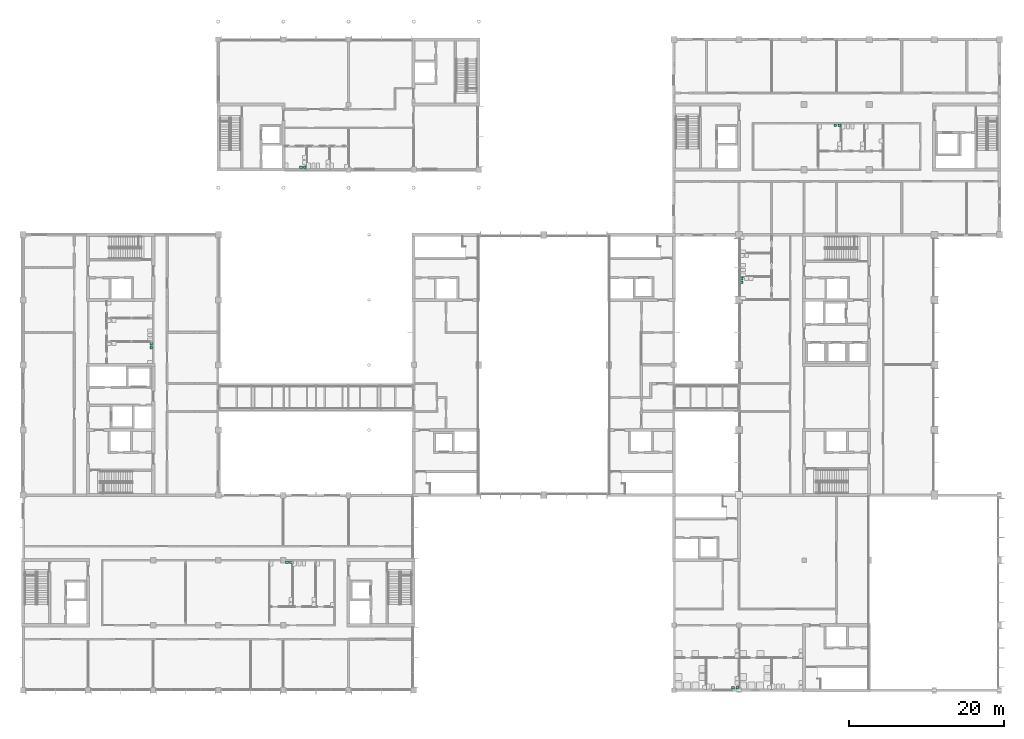
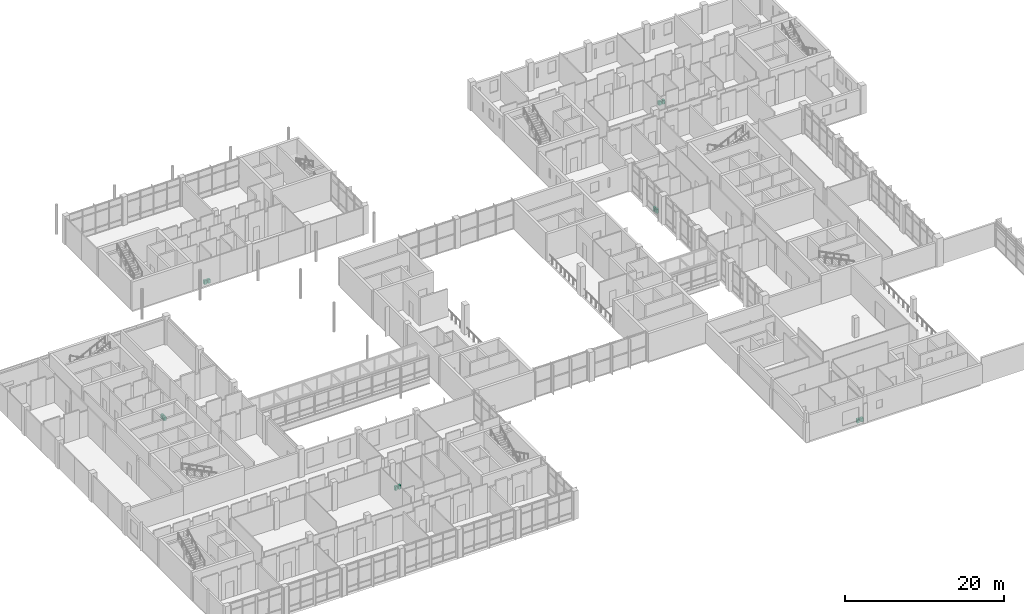
# One storey, part 70 of 70: 12 sanitary terminals.
"""IFC4 building model written with IfcOpenShell, lengths in metres."""

from ifc_helpers import new_model, si_unit, direction, frame, origin, origin_2d, place, context, subcontext, project, spatial, rectangle, extrude, element, save


model = new_model("IFC4")

# Units and contexts
model_context = context("Model", 3, precision=1e-05, world=origin(), true_north=direction((0.0, 1.0)))
body_context = subcontext(model_context, "Body", "Model", "MODEL_VIEW")
ifc_project = project(units=[si_unit("LENGTHUNIT", "METRE"), si_unit("AREAUNIT", "SQUARE_METRE"), si_unit("VOLUMEUNIT", "CUBIC_METRE"), si_unit("PLANEANGLEUNIT", "RADIAN"), si_unit("MASSUNIT", "GRAM", prefix="KILO")], contexts=[model_context])

# Site, building, storey
site_placement = place(None, origin())
site = spatial("IfcSite", under=ifc_project, at=site_placement, CompositionType="ELEMENT")
building_placement = place(site_placement, origin())
building = spatial("IfcBuilding", under=site, at=building_placement, Name="Hlaing Beacon Police Headquarters", CompositionType="ELEMENT")
storey_placement = place(building_placement, frame((0.0, 0.0, 5.39990234375)))
storey = spatial("IfcBuildingStorey", under=building, at=storey_placement, Name="L01", CompositionType="ELEMENT", Elevation=5.39990234375)

# Sanitary terminals
for number, where, z_axis, x_axis, name in (
    (1, (44.761962890625, 75.925048828125, 0.0), (0.0, 0.0, 1.0), (1.0, 0.0, 0.0), "Urinal"),
    (2, (44.262939453125, 75.925048828125, 0.0), (0.0, 0.0, 1.0), (1.0, 0.0, 0.0), "Urinal"),
    (3, (100.56298828125, 8.72509765625, 0.0), (0.0, 0.0, 1.0), (1.0, 0.0, 0.0), "Urinal"),
    (4, (100.011962890625, 8.72509765625, 0.0), (0.0, 0.0, 1.0), (1.0, 0.0, 0.0), "Urinal"),
    (5, (42.962890625, 24.949951171875, 0.0), (0.0, 0.0, 1.0), (1.0, 0.0, 0.0), "Urinal"),
    (6, (42.462890625, 24.949951171875, 0.0), (0.0, 0.0, 1.0), (1.0, 0.0, 0.0), "Urinal"),
    (7, (101.125, 61.56298828125, 0.0), (0.0, 0.0, 1.0), (1.0, 0.0, 0.0), "Urinal"),
    (8, (101.125, 61.06201171875, 0.0), (0.0, 0.0, 1.0), (1.0, 0.0, 0.0), "Urinal"),
    (9, (24.949951171875, 53.162109375, 0.0), (0.0, 0.0, 1.0), (1.0, 0.0, 0.0), "Urinal"),
    (10, (24.949951171875, 52.662109375, 0.0), (0.0, 0.0, 1.0), (1.0, 0.0, 0.0), "Urinal"),
    (11, (113.762939453125, 81.35009765625, 0.0), (0.0, 0.0, 1.0), (1.0, 0.0, 0.0), "Urinal"),
    (12, (113.212890625, 81.35009765625, 0.0), (0.0, 0.0, 1.0), (1.0, 0.0, 0.0), "Urinal"),
):
    element("IfcSanitaryTerminal", number, at=place(storey_placement, frame(where, z_axis=z_axis, x_axis=x_axis)), inside=storey, Name=name, PredefinedType="URINAL", context=body_context, shape_type="SweptSolid", body=[
        extrude(rectangle(XDim=0.35009765625, YDim=0.35009765625, at=origin_2d()), origin(), (0.0, 0.0, 1.0), 0.60009765625),
    ])

save(model, "model.ifc")
